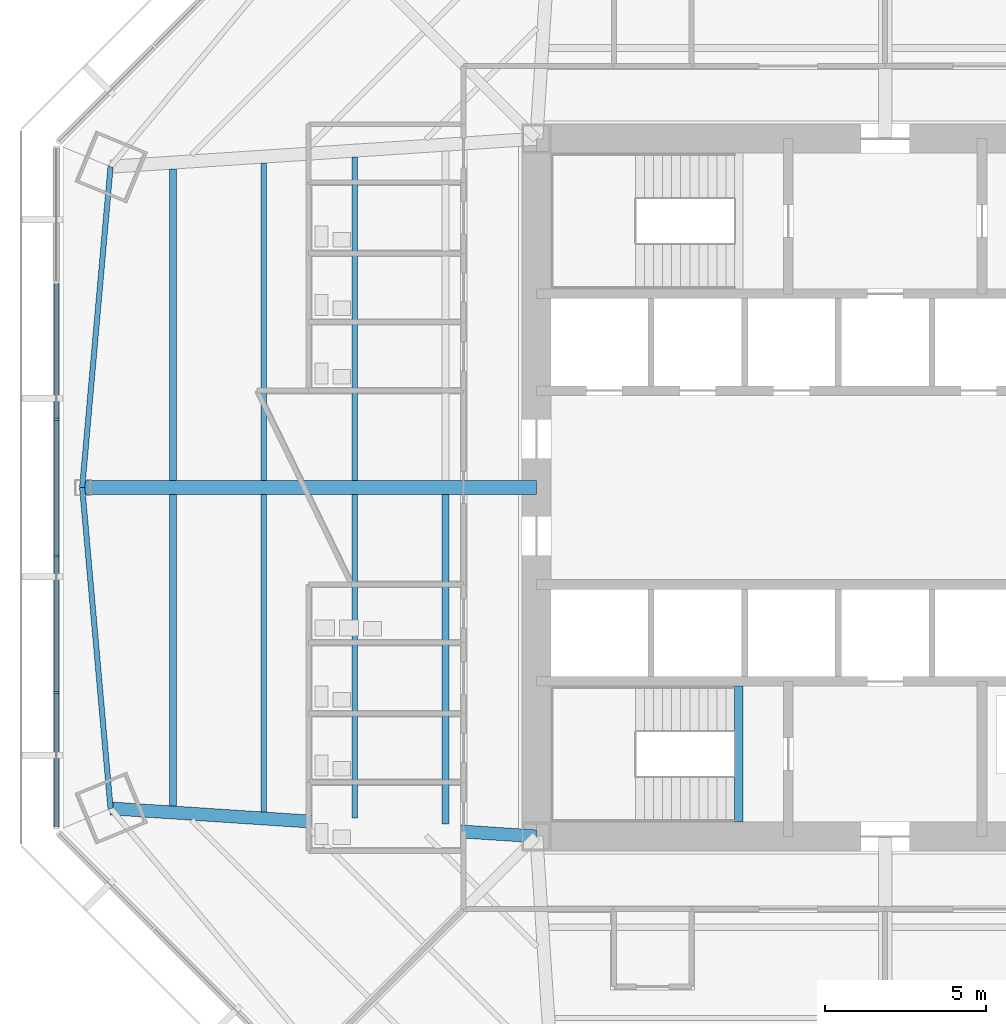
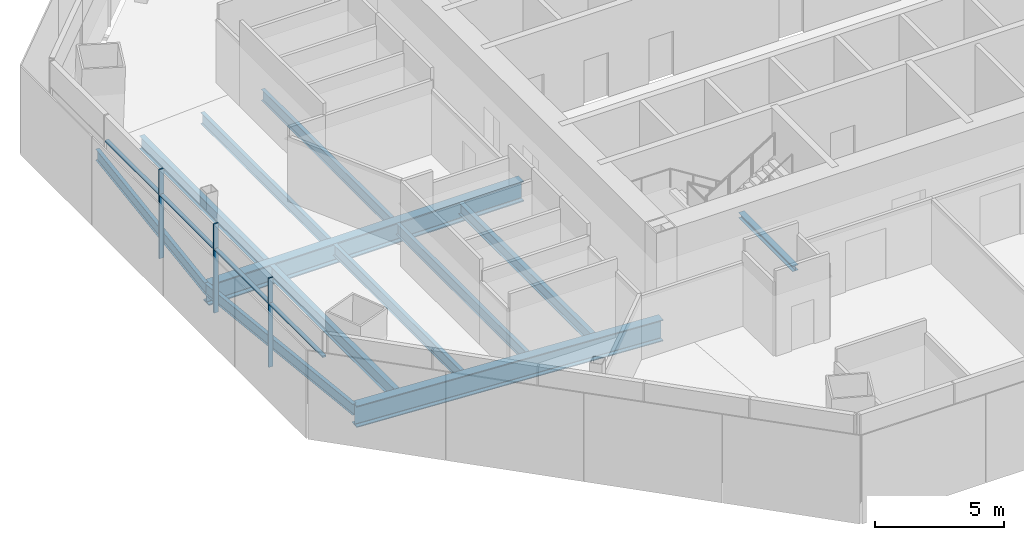
# One storey, part 3 of 18: 12 beams, 7 members, 1 element without a shape of its own.
"""IFC4 building model written with IfcOpenShell, lengths in metres."""

from ifc_helpers import new_model, si_unit, direction, frame, origin, origin_2d, place, context, subcontext, project, spatial, rectangle, i_section, extrude, source, transform, mapped, material, material_profile, profile_set, type_object, type_shapes, element, aggregate, save


model = new_model("IFC4")

# Units and contexts
model_context = context("Model", 3, precision=1e-05, world=origin(), true_north=direction((0.0, 1.0)))
body_context = subcontext(model_context, "Body", "Model", "MODEL_VIEW")
ifc_project = project(units=[si_unit("LENGTHUNIT", "METRE"), si_unit("AREAUNIT", "SQUARE_METRE"), si_unit("VOLUMEUNIT", "CUBIC_METRE"), si_unit("PLANEANGLEUNIT", "RADIAN"), si_unit("MASSUNIT", "GRAM", prefix="KILO")], contexts=[model_context])

# Site, building, storey
site_placement = place(None, origin())
site = spatial("IfcSite", under=ifc_project, at=site_placement, CompositionType="ELEMENT")
building_placement = place(site_placement, origin())
building = spatial("IfcBuilding", under=site, at=building_placement, Name="Mashrafa Tower", CompositionType="ELEMENT")
storey_placement = place(building_placement, frame((0.0, 0.0, 83.39990234375)))
storey = spatial("IfcBuildingStorey", under=building, at=storey_placement, Name="L18", CompositionType="ELEMENT", Elevation=83.39990234375)

# Beams
ifc_material_1 = material(Name="Steel ASTM A992", Category="steel")
ifc_material_profile_1 = material_profile(ifc_material_1, i_section(OverallWidth=0.165771484375, OverallDepth=0.5283203125, WebThickness=0.009765625, FlangeThickness=0.013671875, FilletRadius=0.012939453125, at=origin_2d()), Name="W21X50")
ifc_profile_set_1 = profile_set([ifc_material_profile_1], Name="Steel ASTM A992")
beam_type_1 = type_object("IfcBeamType", Name="Beam W21X50", PredefinedType="BEAM", material=ifc_profile_set_1)
for number, where, z_axis, x_axis, name in (
    (1, (-19.236083984375, -10.04443359375, -0.428955078125), (0.0, 1.0, 0.0), (-1.0, 0.0, 0.0), "Floor beam L18 004"),
    (2, (-19.236083984375, 0.212158203125, -0.428955078125), (0.0, 1.0, 0.0), (-1.0, 0.0, 0.0), "Floor beam L18 005"),
):
    element("IfcBeam", number, at=place(storey_placement, frame(where, z_axis=z_axis, x_axis=x_axis)), inside=storey, type_object=beam_type_1, Name=name, PredefinedType="BEAM", context=body_context, shape_type="SweptSolid", body=[
        extrude(i_section(OverallWidth=0.165771484375, OverallDepth=0.5283203125, WebThickness=0.009765625, FlangeThickness=0.013671875, FilletRadius=0.012939453125, at=origin_2d()), origin(), (0.0, 0.0, 1.0), 9.832275390625),
    ])
for number, where, z_axis, x_axis, name in (
    (3, (-16.424072265625, -10.229248046875, -0.428955078125), (0.0, 1.0, 0.0), (-1.0, 0.0, 0.0), "Floor beam L18 007"),
    (4, (-16.424072265625, 0.212158203125, -0.428955078125), (0.0, 1.0, 0.0), (-1.0, 0.0, 0.0), "Floor beam L18 008"),
):
    element("IfcBeam", number, at=place(storey_placement, frame(where, z_axis=z_axis, x_axis=x_axis)), inside=storey, type_object=beam_type_1, Name=name, PredefinedType="BEAM", context=body_context, shape_type="SweptSolid", body=[
        extrude(i_section(OverallWidth=0.165771484375, OverallDepth=0.5283203125, WebThickness=0.009765625, FlangeThickness=0.013671875, FilletRadius=0.012939453125, at=origin_2d()), origin(), (0.0, 0.0, 1.0), 10.01708984375),
    ])
for number, where, z_axis, x_axis, name in (
    (5, (-24.860107421875, 0.0, -0.428955078125), (0.088060999722, -0.996115083877, 0.0), (0.996115083877, 0.088060999722, 0.0), "Spandrel beam L18 073"),
    (6, (-23.98193359375, 9.93359375, -0.428955078125), (-0.088060999722, -0.996115083877, 0.0), (0.996115083877, -0.088060999722, 0.0), "Spandrel beam L18 075"),
):
    element("IfcBeam", number, at=place(storey_placement, frame(where, z_axis=z_axis, x_axis=x_axis)), inside=storey, type_object=beam_type_1, Name=name, PredefinedType="BEAM", context=body_context, shape_type="SweptSolid", body=[
        extrude(i_section(OverallWidth=0.165771484375, OverallDepth=0.5283203125, WebThickness=0.009765625, FlangeThickness=0.013671875, FilletRadius=0.012939453125, at=origin_2d()), origin(), (0.0, 0.0, 1.0), 9.972412109375),
    ])
ifc_material_2 = material(Name="Steel ASTM A992", Category="steel")
ifc_material_profile_2 = material_profile(ifc_material_2, i_section(OverallWidth=0.209228515625, OverallDepth=0.533447265625, WebThickness=0.01025390625, FlangeThickness=0.015625, FilletRadius=0.012939453125, at=origin_2d()), Name="W21X62")
ifc_profile_set_2 = profile_set([ifc_material_profile_2], Name="Steel ASTM A992")
beam_type_2 = type_object("IfcBeamType", Name="Beam W21X62", PredefinedType="BEAM", material=ifc_profile_set_2)
beam_1_placement = place(storey_placement, frame((-13.612060546875, -10.4140625, -0.431640625), z_axis=(0.0, 1.0, 0.0), x_axis=(-1.0, 0.0, 0.0)))
element("IfcBeam", 7, at=beam_1_placement, inside=storey, type_object=beam_type_2, Name="Floor beam L18 014", PredefinedType="BEAM", context=body_context, shape_type="SweptSolid", body=[
    extrude(i_section(OverallWidth=0.209228515625, OverallDepth=0.533447265625, WebThickness=0.01025390625, FlangeThickness=0.015625, FilletRadius=0.012939453125, at=origin_2d()), origin(), (0.0, 0.0, 1.0), 10.201904296875),
])
ifc_material_3 = material(Name="Steel ASTM A992", Category="steel")
ifc_material_profile_3 = material_profile(ifc_material_3, i_section(OverallWidth=0.227783203125, OverallDepth=0.60205078125, WebThickness=0.010498046875, FlangeThickness=0.014892578125, FilletRadius=0.012939453125, at=origin_2d()), Name="W24X68")
ifc_profile_set_3 = profile_set([ifc_material_profile_3], Name="Steel ASTM A992")
beam_type_3 = type_object("IfcBeamType", Name="Beam W24X68", PredefinedType="BEAM", material=ifc_profile_set_3)
for number, where, z_axis, x_axis, name in (
    (8, (-22.048095703125, -9.859619140625, -0.4658203125), (0.0, 1.0, 0.0), (-1.0, 0.0, 0.0), "Floor beam L18 001"),
    (9, (-22.048095703125, 0.212158203125, -0.4658203125), (0.0, 1.0, 0.0), (-1.0, 0.0, 0.0), "Floor beam L18 002"),
):
    element("IfcBeam", number, at=place(storey_placement, frame(where, z_axis=z_axis, x_axis=x_axis)), inside=storey, type_object=beam_type_3, Name=name, PredefinedType="BEAM", context=body_context, shape_type="SweptSolid", body=[
        extrude(i_section(OverallWidth=0.227783203125, OverallDepth=0.60205078125, WebThickness=0.010498046875, FlangeThickness=0.014892578125, FilletRadius=0.012939453125, at=origin_2d()), origin(), (0.0, 0.0, 1.0), 9.6474609375),
    ])
ifc_material_4 = material(Name="Steel ASTM A992", Category="steel")
ifc_material_profile_4 = material_profile(ifc_material_4, i_section(OverallWidth=0.424072265625, OverallDepth=0.960205078125, WebThickness=0.028564453125, FlangeThickness=0.051025390625, FilletRadius=0.02001953125, at=origin_2d()), Name="W36X361")
ifc_profile_set_4 = profile_set([ifc_material_profile_4], Name="Steel ASTM A992")
beam_type_4 = type_object("IfcBeamType", Name="Beam W36X361", PredefinedType="BEAM", material=ifc_profile_set_4)
beam_2_placement = place(storey_placement, frame((-10.800048828125, 0.0, -0.64501953125), z_axis=(-1.0, 0.0, 0.0), x_axis=(0.0, -1.0, 0.0)))
element("IfcBeam", 10, at=beam_2_placement, inside=storey, type_object=beam_type_4, Name="Radial girder L18 060", PredefinedType="BEAM", context=body_context, shape_type="SweptSolid", body=[
    extrude(i_section(OverallWidth=0.424072265625, OverallDepth=0.960205078125, WebThickness=0.028564453125, FlangeThickness=0.051025390625, FilletRadius=0.02001953125, at=origin_2d()), origin(), (0.0, 0.0, 1.0), 14.06005859375),
])
ifc_material_5 = material(Name="Steel ASTM A992", Category="steel")
ifc_material_profile_5 = material_profile(ifc_material_5, i_section(OverallWidth=0.4013671875, OverallDepth=1.010986328125, WebThickness=0.023681640625, FlangeThickness=0.0419921875, FilletRadius=0.02001953125, at=origin_2d()), Name="W40X297")
ifc_profile_set_5 = profile_set([ifc_material_profile_5], Name="Steel ASTM A992")
beam_type_5 = type_object("IfcBeamType", Name="Beam W40X297", PredefinedType="BEAM", material=ifc_profile_set_5)
beam_3_placement = place(storey_placement, frame((-10.800048828125, -10.800048828125, -0.67041015625), z_axis=(-0.997846709731, 0.065589205505, 0.0), x_axis=(-0.065589205505, -0.997846709731, 0.0)))
element("IfcBeam", 11, at=beam_3_placement, inside=storey, type_object=beam_type_5, Name="Radial girder L18 057", PredefinedType="BEAM", context=body_context, shape_type="SweptSolid", body=[
    extrude(i_section(OverallWidth=0.4013671875, OverallDepth=1.010986328125, WebThickness=0.023681640625, FlangeThickness=0.0419921875, FilletRadius=0.02001953125, at=origin_2d()), origin(), (0.0, 0.0, 1.0), 13.21044921875),
])
ifc_material_6 = material(Name="Steel ASTM A992", Category="steel")
ifc_material_profile_6 = material_profile(ifc_material_6, i_section(OverallWidth=0.25390625, OverallDepth=0.25390625, WebThickness=0.008544921875, FlangeThickness=0.01416015625, FilletRadius=0.010009765625, at=origin_2d()), Name="W10X49")
ifc_profile_set_6 = profile_set([ifc_material_profile_6], Name="Steel ASTM A992")
beam_type_6 = type_object("IfcBeamType", Name="Hoistway beam W10X49", PredefinedType="BEAM", material=ifc_profile_set_6)
beam_4_placement = place(storey_placement, frame((-4.530029296875, -10.35009765625, -0.326904296875), z_axis=(0.0, 1.0, 0.0), x_axis=(-1.0, 0.0, 0.0)))
element("IfcBeam", 12, at=beam_4_placement, inside=storey, type_object=beam_type_6, Name="Stair S3 landing beam L18", PredefinedType="BEAM", context=body_context, shape_type="SweptSolid", body=[
    extrude(i_section(OverallWidth=0.25390625, OverallDepth=0.25390625, WebThickness=0.008544921875, FlangeThickness=0.01416015625, FilletRadius=0.010009765625, at=origin_2d()), origin(), (0.0, 0.0, 1.0), 4.2001953125),
])

# Curtain wall, members
ifc_material_7 = material(Name="Unitised aluminium curtain wall", Category="aluminium")
curtain_wall_type = type_object("IfcCurtainWallType", Name="Office curtain wall, zone 1 CW-A 200 deep", PredefinedType="NOTDEFINED", material=ifc_material_7)
curtain_wall_placement = place(storey_placement, origin())
curtain_wall = element("IfcCurtainWall", 13, at=curtain_wall_placement, inside=storey, type_object=curtain_wall_type, Name="Office curtain wall, zone 1 L18 west", PredefinedType="NOTDEFINED")
ifc_material_8 = material(Name="Extruded aluminium mullion", Category="aluminium")
ifc_material_profile_7 = material_profile(ifc_material_8, rectangle(XDim=0.199951171875, YDim=0.06494140625, at=origin_2d()), Name="Mullion 65x200")
ifc_profile_set_7 = profile_set([ifc_material_profile_7], Name="Extruded aluminium mullion")
member_type_1 = type_object("IfcMemberType", Name="Mullion CW-A 65 x 200", PredefinedType="MULLION", material=ifc_profile_set_7)
shared_shape_1 = source(origin(), body_context, "Body", "SweptSolid", [
    extrude(rectangle(XDim=0.199951171875, YDim=0.06494140625, at=origin_2d()), origin(), (0.0, 0.0, 1.0), 4.2001953125),
])
type_shapes(member_type_1, [shared_shape_1])
member_1_placement = place(storey_placement, frame((-25.655517578125, 2.114990234375, 0.0), z_axis=(0.0, 0.0, 1.0), x_axis=(1.0, 0.0, 0.0)))
member_1 = element("IfcMember", 14, at=member_1_placement, type_object=member_type_1, Name="CW-A mullion 3", PredefinedType="MULLION", context=body_context, shape_type="MappedRepresentation", body=[
    mapped(shared_shape_1, transform((0.0, 0.0, 0.0))),
])
member_2_placement = place(storey_placement, frame((-25.655517578125, -2.114990234375, 0.0), z_axis=(0.0, 0.0, 1.0), x_axis=(1.0, 0.0, 0.0)))
member_2 = element("IfcMember", 15, at=member_2_placement, type_object=member_type_1, Name="CW-A mullion 4", PredefinedType="MULLION", context=body_context, shape_type="MappedRepresentation", body=[
    mapped(shared_shape_1, transform((0.0, 0.0, 0.0))),
])
member_3_placement = place(storey_placement, frame((-25.655517578125, -6.34521484375, 0.0), z_axis=(0.0, 0.0, 1.0), x_axis=(1.0, 0.0, 0.0)))
member_3 = element("IfcMember", 16, at=member_3_placement, type_object=member_type_1, Name="CW-A mullion 5", PredefinedType="MULLION", context=body_context, shape_type="MappedRepresentation", body=[
    mapped(shared_shape_1, transform((0.0, 0.0, 0.0))),
])
ifc_material_9 = material(Name="Extruded aluminium transom", Category="aluminium")
ifc_material_profile_8 = material_profile(ifc_material_9, rectangle(XDim=0.159912109375, YDim=0.080078125, at=origin_2d()), Name="Transom 80x160")
ifc_profile_set_8 = profile_set([ifc_material_profile_8], Name="Extruded aluminium transom")
member_type_2 = type_object("IfcMemberType", Name="Transom CW-A 80 x 160", PredefinedType="MULLION", material=ifc_profile_set_8)
shared_shape_2 = source(origin(), body_context, "Body", "SweptSolid", [
    extrude(rectangle(XDim=0.159912109375, YDim=0.080078125, at=origin_2d()), origin(), (0.0, 0.0, 1.0), 4.1328125),
])
member_4_placement = place(storey_placement, frame((-25.655517578125, -6.377685546875, 3.0), z_axis=(0.0, -1.0, 0.0), x_axis=(1.0, 0.0, 0.0)))
member_4 = element("IfcMember", 17, at=member_4_placement, type_object=member_type_2, Name="CW-A transom 5", PredefinedType="MULLION", context=body_context, shape_type="MappedRepresentation", body=[
    mapped(shared_shape_2, transform((0.0, 0.0, 0.0))),
])
shared_shape_3 = source(origin(), body_context, "Body", "SweptSolid", [
    extrude(rectangle(XDim=0.159912109375, YDim=0.080078125, at=origin_2d()), origin(), (0.0, 0.0, 1.0), 4.165283203125),
])
member_5_placement = place(storey_placement, frame((-25.655517578125, 6.312744140625, 3.0), z_axis=(0.0, -1.0, 0.0), x_axis=(1.0, 0.0, 0.0)))
member_5 = element("IfcMember", 18, at=member_5_placement, type_object=member_type_2, Name="CW-A transom 2", PredefinedType="MULLION", context=body_context, shape_type="MappedRepresentation", body=[
    mapped(shared_shape_3, transform((0.0, 0.0, 0.0))),
])
member_6_placement = place(storey_placement, frame((-25.655517578125, -2.1474609375, 3.0), z_axis=(0.0, -1.0, 0.0), x_axis=(1.0, 0.0, 0.0)))
member_6 = element("IfcMember", 19, at=member_6_placement, type_object=member_type_2, Name="CW-A transom 4", PredefinedType="MULLION", context=body_context, shape_type="MappedRepresentation", body=[
    mapped(shared_shape_3, transform((0.0, 0.0, 0.0))),
])
shared_shape_4 = source(origin(), body_context, "Body", "SweptSolid", [
    extrude(rectangle(XDim=0.159912109375, YDim=0.080078125, at=origin_2d()), origin(), (0.0, 0.0, 1.0), 4.1650390625),
])
type_shapes(member_type_2, [shared_shape_2, shared_shape_3, shared_shape_4])
member_7_placement = place(storey_placement, frame((-25.655517578125, 2.08251953125, 3.0), z_axis=(0.0, -1.0, 0.0), x_axis=(1.0, 0.0, 0.0)))
member_7 = element("IfcMember", 20, at=member_7_placement, type_object=member_type_2, Name="CW-A transom 3", PredefinedType="MULLION", context=body_context, shape_type="MappedRepresentation", body=[
    mapped(shared_shape_4, transform((0.0, 0.0, 0.0))),
])
aggregate(curtain_wall, [member_1, member_2, member_3, member_5, member_7, member_6, member_4])

save(model, "model.ifc")
